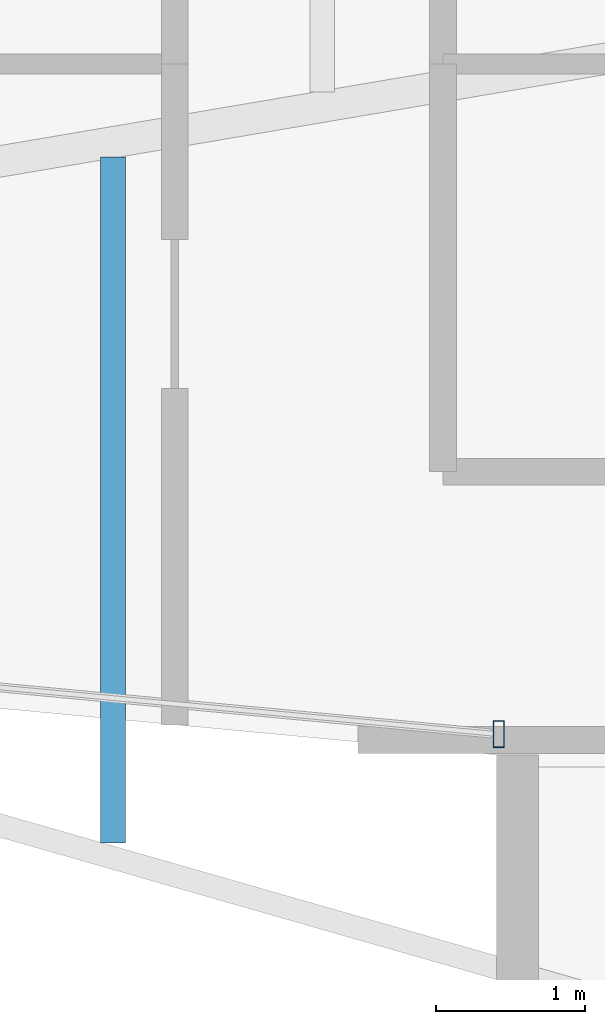
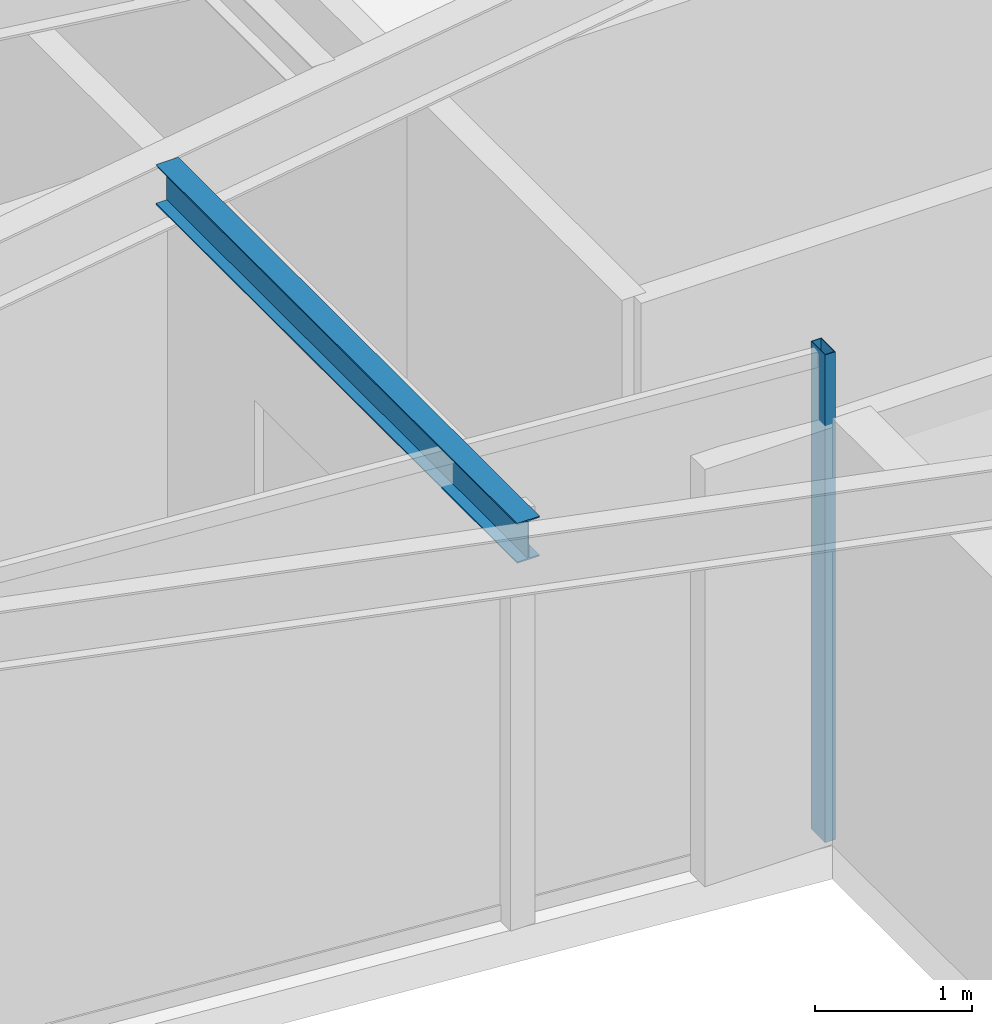
# One storey, part 4 of 24: 1 beam, 1 member, 1 element without a shape of its own.
"""IFC4 building model written with IfcOpenShell, lengths in metres."""

import ifcopenshell
import ifcopenshell.guid

model = None  # the IFC model being written
_history = None  # IfcOwnerHistory: only IFC2X3 demands one
_inside = {}  # id of a spatial element -> (the spatial element, [elements in it])
_under = {}  # id of a project, library or spatial element -> (it, [spatial elements below it])
_declared = {}  # id of a project -> (the project, [libraries it declares])
_typed = {}  # id of a type object -> (the type object, [elements of that type])
_made_of = {}  # id of a material, layer set ... -> (it, [elements and type objects made of it])


def new_model(schema):
    """Start an empty IFC model of exactly this schema.

    Asked for "IFC4X3", IfcOpenShell would pick the latest addendum, in which some entities
    have other attributes; the version numbers below select the first issue.
    IFC2X3 requires an IfcOwnerHistory on every rooted entity: one is made here for all.
    """
    global model, _history
    if schema == "IFC4X3":
        model = ifcopenshell.file(schema_version=(4, 3, 0, 0))
    else:
        model = ifcopenshell.file(schema=schema)
    _inside.clear()
    _under.clear()
    _declared.clear()
    _typed.clear()
    _made_of.clear()
    _history = None
    if model.schema == "IFC2X3":
        org = make("IfcOrganization", Name="unknown")
        user = make(
            "IfcPersonAndOrganization",
            ThePerson=make("IfcPerson", FamilyName="unknown"),
            TheOrganization=org,
        )
        app = make(
            "IfcApplication",
            ApplicationDeveloper=org,
            Version="unknown",
            ApplicationFullName="unknown",
            ApplicationIdentifier="unknown",
        )
        _history = make(
            "IfcOwnerHistory",
            OwningUser=user,
            OwningApplication=app,
            ChangeAction="ADDED",
            CreationDate=0,
        )
    return model


def make(cls, **values):
    """One entity of the class cls with the attributes given. An attribute that is None is left unset."""
    return model.create_entity(
        cls, **{name: value for name, value in values.items() if value is not None}
    )


def rooted(cls, **values):
    """An entity with a GlobalId (a new one), such as an element, a storey or a relation."""
    return make(cls, GlobalId=ifcopenshell.guid.new(), OwnerHistory=_history, **values)


def si_unit(unit_type, name, prefix=None):
    """IfcSIUnit, for example si_unit("LENGTHUNIT", "METRE", prefix="MILLI")."""
    return make("IfcSIUnit", UnitType=unit_type, Prefix=prefix, Name=name)


def assignment(units):
    """IfcUnitAssignment: the units of a project."""
    return None if units is None else make("IfcUnitAssignment", Units=units)


def point(xyz):
    """IfcCartesianPoint."""
    return None if xyz is None else make("IfcCartesianPoint", Coordinates=xyz)


def direction(xyz):
    """IfcDirection."""
    return None if xyz is None else make("IfcDirection", DirectionRatios=xyz)


def frame(location, z_axis=None, x_axis=None):
    """IfcAxis2Placement3D, a coordinate frame: its origin and axes. An axis left out is left unset."""
    return make(
        "IfcAxis2Placement3D",
        Location=point(location),
        Axis=direction(z_axis),
        RefDirection=direction(x_axis),
    )


def frame_2d(location, x_axis=None):
    """IfcAxis2Placement2D, a coordinate frame in the plane: its origin and x axis."""
    return make(
        "IfcAxis2Placement2D", Location=point(location), RefDirection=direction(x_axis)
    )


def origin():
    """The frame at (0, 0, 0) with its axes left unset."""
    return frame((0.0, 0.0, 0.0))


def origin_2d():
    """The frame at (0, 0) in the plane with its x axis left unset."""
    return frame_2d((0.0, 0.0))


def place(relative_to, where):
    """IfcLocalPlacement: puts the frame where relative to a parent placement (None: the world)."""
    return make(
        "IfcLocalPlacement", PlacementRelTo=relative_to, RelativePlacement=where
    )


def context(
    kind, dimensions, precision=None, world=None, true_north=None, identifier=None
):
    """IfcGeometricRepresentationContext, for example the 3D "Model" context."""
    return make(
        "IfcGeometricRepresentationContext",
        ContextIdentifier=identifier,
        ContextType=kind,
        CoordinateSpaceDimension=dimensions,
        Precision=precision,
        WorldCoordinateSystem=world,
        TrueNorth=true_north,
    )


def subcontext(parent, identifier, kind, view, scale=None):
    """IfcGeometricRepresentationSubContext, for example "Body" below "Model"."""
    return make(
        "IfcGeometricRepresentationSubContext",
        ContextIdentifier=identifier,
        ContextType=kind,
        ParentContext=parent,
        TargetScale=scale,
        TargetView=view,
    )


def project(units=None, contexts=None):
    """IfcProject with its units and contexts."""
    return rooted(
        "IfcProject",
        Name="project",
        RepresentationContexts=contexts,
        UnitsInContext=assignment(units),
    )


def spatial(cls, under=None, at=None, **own):
    """A site, building, storey or space (cls), placed at a placement, below another one or the project."""
    s = rooted(cls, ObjectPlacement=at, **own)
    if under is not None:
        _under.setdefault(under.id(), (under, []))[1].append(s)
    return s


def profile(cls, at=None, kind="AREA", **sizes):
    """A parametric profile (cls). Its sizes go by their IFC names, for example OverallWidth=200.0."""
    return make(cls, ProfileType=kind, Position=at, **sizes)


def hollow_rectangle(**sizes):
    """IfcRectangleHollowProfileDef."""
    return profile("IfcRectangleHollowProfileDef", **sizes)


def i_section(**sizes):
    """IfcIShapeProfileDef."""
    return profile("IfcIShapeProfileDef", **sizes)


def extrude(swept, where, along, depth):
    """IfcExtrudedAreaSolid: the profile swept, set in the frame where, extruded along a direction by depth."""
    return make(
        "IfcExtrudedAreaSolid",
        SweptArea=swept,
        Position=where,
        ExtrudedDirection=direction(along),
        Depth=depth,
    )


def shape(context_of_items, identifier, shape_type, items):
    """IfcShapeRepresentation: the items that make up one representation, for example the "Body"."""
    return make(
        "IfcShapeRepresentation",
        ContextOfItems=context_of_items,
        RepresentationIdentifier=identifier,
        RepresentationType=shape_type,
        Items=items,
    )


def material(Name=None, Category=None):
    """IfcMaterial."""
    return make("IfcMaterial", Name=Name, Category=Category)


def layer(
    of_material, thickness, ventilated=None, Name=None, Category=None, Priority=None
):
    """IfcMaterialLayer: one layer of a wall or slab, of a material (None: an air gap)."""
    return make(
        "IfcMaterialLayer",
        Material=of_material,
        LayerThickness=thickness,
        IsVentilated=ventilated,
        Name=Name,
        Category=Category,
        Priority=Priority,
    )


def layer_set(layers, Name=None):
    """IfcMaterialLayerSet."""
    return make("IfcMaterialLayerSet", MaterialLayers=layers, LayerSetName=Name)


def material_profile(
    of_material, cross_section, Name=None, Category=None, Priority=None
):
    """IfcMaterialProfile: a cross section and its material."""
    return make(
        "IfcMaterialProfile",
        Name=Name,
        Material=of_material,
        Profile=cross_section,
        Priority=Priority,
        Category=Category,
    )


def profile_set(profiles, Name=None, composite=None):
    """IfcMaterialProfileSet."""
    return make(
        "IfcMaterialProfileSet",
        Name=Name,
        MaterialProfiles=profiles,
        CompositeProfile=composite,
    )


def made_of(thing, what):
    """Note that an element or type object is made of a material, layer set ...; save() writes the relation."""
    if what is not None:
        _made_of.setdefault(what.id(), (what, []))[1].append(thing)
    return thing


def type_object(cls, material=None, **own):
    """A type object (cls), such as IfcWallType, which elements share."""
    return made_of(rooted(cls, **own), material)


def element(
    cls,
    number,
    at=None,
    inside=None,
    cuts=None,
    type_object=None,
    material=None,
    context=None,
    identifier="Body",
    shape_type=None,
    held_by="IfcProductDefinitionShape",
    body=None,
    shapes=None,
    **own,
):
    """One element of the class cls, such as IfcWall. Its Tag is "e" and its number.

    at: its placement. inside: the storey or other place that contains it. cuts: it is an
    opening in that element (IfcRelVoidsElement). A single representation is given by context,
    identifier, shape_type and body (its items); several are given by shapes. held_by: the class
    of the entity that holds the representations. save() writes the other relations.
    """
    e = rooted(cls, Tag="e%d" % number, ObjectPlacement=at, **own)
    if body is not None:
        shapes = [shape(context, identifier, shape_type, body)]
    if shapes is not None:
        e.Representation = make(held_by, Representations=shapes)
    if inside is not None:
        _inside.setdefault(inside.id(), (inside, []))[1].append(e)
    if cuts is not None:
        rooted(
            "IfcRelVoidsElement", RelatingBuildingElement=cuts, RelatedOpeningElement=e
        )
    if type_object is not None:
        _typed.setdefault(type_object.id(), (type_object, []))[1].append(e)
    return made_of(e, material)


def aggregate(whole, parts):
    """IfcRelAggregates: a whole, such as a stair, and the parts it consists of."""
    return rooted("IfcRelAggregates", RelatingObject=whole, RelatedObjects=parts)


def save(model, path):
    """Write the relations noted so far, then the file.

    IfcRelAggregates (storeys below a building ...), IfcRelContainedInSpatialStructure (elements
    in a storey), IfcRelDefinesByType, IfcRelAssociatesMaterial and IfcRelDeclares: one each for
    every whole, place, type object, material and project.
    """
    for whole, parts in _under.values():
        aggregate(whole, parts)
    for where, things in _inside.values():
        rooted(
            "IfcRelContainedInSpatialStructure",
            RelatedElements=things,
            RelatingStructure=where,
        )
    for kind, things in _typed.values():
        rooted("IfcRelDefinesByType", RelatedObjects=things, RelatingType=kind)
    for what, things in _made_of.values():
        rooted("IfcRelAssociatesMaterial", RelatedObjects=things, RelatingMaterial=what)
    for by, libraries in _declared.values():
        rooted("IfcRelDeclares", RelatingContext=by, RelatedDefinitions=libraries)
    model.write(path)


model = new_model("IFC4")

# Units and contexts
model_context = context("Model", 3, precision=1e-05, world=origin(), true_north=direction((0.0, 1.0)))
body_context = subcontext(model_context, "Body", "Model", "MODEL_VIEW")
ifc_project = project(units=[si_unit("LENGTHUNIT", "METRE"), si_unit("AREAUNIT", "SQUARE_METRE"), si_unit("VOLUMEUNIT", "CUBIC_METRE"), si_unit("PLANEANGLEUNIT", "RADIAN"), si_unit("MASSUNIT", "GRAM", prefix="KILO")], contexts=[model_context])

# Site, building, storey
site_placement = place(None, origin())
site = spatial("IfcSite", under=ifc_project, at=site_placement, CompositionType="ELEMENT")
building_placement = place(site_placement, origin())
building = spatial("IfcBuilding", under=site, at=building_placement, Name="Veymaron Broadcast Tower", CompositionType="ELEMENT")
storey_placement = place(building_placement, frame((0.0, 0.0, 220.199951171875)))
storey = spatial("IfcBuildingStorey", under=building, at=storey_placement, Name="L51", CompositionType="ELEMENT", Elevation=220.199951171875)

# Beam
ifc_material_1 = material(Name="Structural steel ASTM A992 Gr 50", Category="steel")
ifc_material_profile_1 = material_profile(ifc_material_1, i_section(OverallWidth=0.1650390625, OverallDepth=0.31005859375, WebThickness=0.005859375, FlangeThickness=0.009765625, at=origin_2d()), Name="W310X39")
ifc_profile_set_1 = profile_set([ifc_material_profile_1], Name="Structural steel ASTM A992 Gr 50")
beam_type = type_object("IfcBeamType", Name="BM-JS3", PredefinedType="JOIST", material=ifc_profile_set_1)
beam_placement = place(storey_placement, frame((24.18603515625, 18.110107421875, 3.635009765625), z_axis=(0.0, 1.0, 0.0), x_axis=(-1.0, 0.0, 0.0)))
element("IfcBeam", 1, at=beam_placement, inside=storey, type_object=beam_type, Name="L51 Arm-A secondary joist 2S", PredefinedType="JOIST", context=body_context, shape_type="SweptSolid", body=[
    extrude(i_section(OverallWidth=0.1650390625, OverallDepth=0.31005859375, WebThickness=0.005859375, FlangeThickness=0.009765625, at=origin_2d()), origin(), (0.0, 0.0, 1.0), 4.599853515625),
])

# Curtain wall, member
ifc_material_2 = material(Name="Anodised aluminium AA 6063-T6 and laminated low-E dark glass", Category="aluminium")
ifc_layer = layer(ifc_material_2, 0.179931640625)
ifc_layer_set = layer_set([ifc_layer], Name="Anodised aluminium AA 6063-T6 and laminated low-E dark glass")
curtain_wall_type = type_object("IfcCurtainWallType", Name="CW-SYS-05", PredefinedType="NOTDEFINED", material=ifc_layer_set)
curtain_wall_placement = place(storey_placement, origin())
curtain_wall = element("IfcCurtainWall", 2, at=curtain_wall_placement, inside=storey, type_object=curtain_wall_type, Name="L51 dark-glass curtain wall CW-L51-E14-1", PredefinedType="NOTDEFINED")
ifc_material_3 = material(Name="Anodised aluminium AA 6063-T6", Category="aluminium")
ifc_material_profile_2 = material_profile(ifc_material_3, hollow_rectangle(XDim=0.074951171875, YDim=0.179931640625, WallThickness=0.0048828125, at=origin_2d()), Name="AL180X75X5")
ifc_profile_set_2 = profile_set([ifc_material_profile_2], Name="Anodised aluminium AA 6063-T6")
member_type = type_object("IfcMemberType", Name="CW-MUL-02", PredefinedType="MULLION", material=ifc_profile_set_2)
member_placement = place(storey_placement, frame((26.773193359375, 18.839111328125, 0.0), z_axis=(0.0, 0.0, 1.0), x_axis=(1.0, 0.0, 0.0)))
member = element("IfcMember", 3, at=member_placement, type_object=member_type, Name="CW-L51-E14-1 mullion 2", PredefinedType="MULLION", context=body_context, shape_type="SweptSolid", body=[
    extrude(hollow_rectangle(XDim=0.074951171875, YDim=0.179931640625, WallThickness=0.0048828125, at=origin_2d()), origin(), (0.0, 0.0, 1.0), 3.7900390625),
])
aggregate(curtain_wall, [member])

save(model, "model.ifc")
